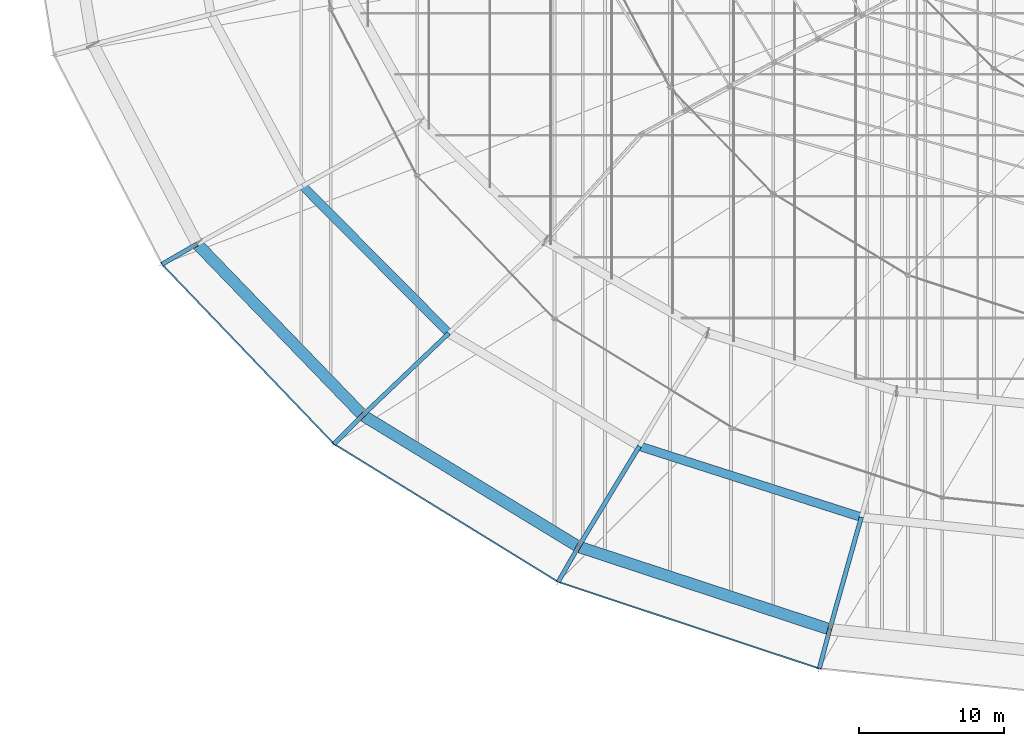
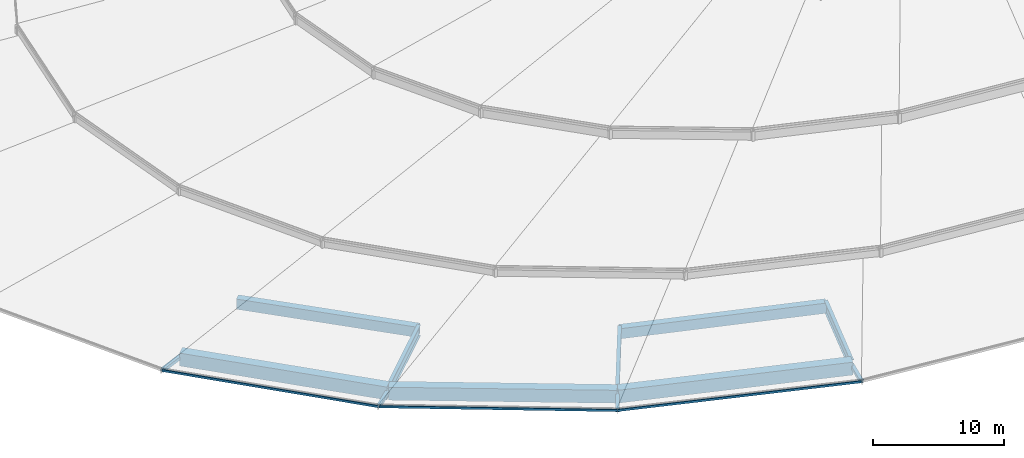
# One storey, part 1 of 184: 8 beams, 7 members.
"""IFC4 building model written with IfcOpenShell, lengths in metres."""

from ifc_helpers import new_model, si_unit, direction, frame, origin, origin_2d, place, context, subcontext, project, spatial, hollow_rectangle, i_section, extrude, material, material_profile, profile_set, type_object, element, save


model = new_model("IFC4")

# Units and contexts
model_context = context("Model", 3, precision=1e-05, world=origin(), true_north=direction((0.0, 1.0)))
body_context = subcontext(model_context, "Body", "Model", "MODEL_VIEW")
ifc_project = project(units=[si_unit("LENGTHUNIT", "METRE"), si_unit("AREAUNIT", "SQUARE_METRE"), si_unit("VOLUMEUNIT", "CUBIC_METRE"), si_unit("PLANEANGLEUNIT", "RADIAN"), si_unit("MASSUNIT", "GRAM", prefix="KILO")], contexts=[model_context])

# Site, building, storey
site_placement = place(None, origin())
site = spatial("IfcSite", under=ifc_project, at=site_placement, CompositionType="ELEMENT")
building_placement = place(site_placement, origin())
building = spatial("IfcBuilding", under=site, at=building_placement, Name="Kalgoora Escarpment Arena", CompositionType="ELEMENT")
storey_placement = place(building_placement, frame((0.0, 0.0, 27.60009765625)))
storey = spatial("IfcBuildingStorey", under=building, at=storey_placement, Name="Roof Level", CompositionType="ELEMENT", Elevation=27.60009765625)

# Beams
ifc_material_1 = material(Name="Structural steel Grade 350 (350 MPa)", Category="steel")
ifc_material_profile_1 = material_profile(ifc_material_1, hollow_rectangle(XDim=0.800048828125, YDim=1.199951171875, WallThickness=0.031982421875, at=origin_2d()))
ifc_profile_set_1 = profile_set([ifc_material_profile_1], Name="Structural steel Grade 350 (350 MPa)")
beam_type_1 = type_object("IfcBeamType", Name="BM-RING-BOX1200", PredefinedType="USERDEFINED", material=ifc_profile_set_1)
beam_1_placement = place(storey_placement, frame((30.219482421875, 35.5, -1.4501953125), z_axis=(0.694974435465, -0.719034445663, 0.0), x_axis=(0.719034445663, 0.694974435465, 0.0)))
element("IfcBeam", 1, at=beam_1_placement, inside=storey, type_object=beam_type_1, Name="Outer perimeter compression RING BEAM chord 15", ObjectType="GIRDER", PredefinedType="USERDEFINED", context=body_context, shape_type="SweptSolid", body=[
    extrude(hollow_rectangle(XDim=0.800048828125, YDim=1.199951171875, WallThickness=0.031982421875, at=origin_2d()), origin(), (0.0, 0.0, 1.0), 16.418212890625),
])
beam_2_placement = place(storey_placement, frame((41.629638671875, 23.69482421875, -1.4501953125), z_axis=(0.854030640858, -0.520222706613, 0.0), x_axis=(0.520222706613, 0.854030640858, 0.0)))
element("IfcBeam", 2, at=beam_2_placement, inside=storey, type_object=beam_type_1, Name="Outer perimeter compression RING BEAM chord 16", ObjectType="GIRDER", PredefinedType="USERDEFINED", context=body_context, shape_type="SweptSolid", body=[
    extrude(hollow_rectangle(XDim=0.800048828125, YDim=1.199951171875, WallThickness=0.031982421875, at=origin_2d()), origin(), (0.0, 0.0, 1.0), 17.411865234375),
])
beam_3_placement = place(storey_placement, frame((56.5, 14.63671875, -1.4501953125), z_axis=(0.949954555117, -0.312388129115, 0.0), x_axis=(0.312388129115, 0.949954555117, 0.0)))
element("IfcBeam", 3, at=beam_3_placement, inside=storey, type_object=beam_type_1, Name="Outer perimeter compression RING BEAM chord 17", ObjectType="GIRDER", PredefinedType="USERDEFINED", context=body_context, shape_type="SweptSolid", body=[
    extrude(hollow_rectangle(XDim=0.800048828125, YDim=1.199951171875, WallThickness=0.031982421875, at=origin_2d()), origin(), (0.0, 0.0, 1.0), 18.229248046875),
])
ifc_material_2 = material(Name="Structural steel Grade 350 (350 MPa)", Category="steel")
ifc_material_profile_2 = material_profile(ifc_material_2, hollow_rectangle(XDim=0.60009765625, YDim=0.949951171875, WallThickness=0.02490234375, at=origin_2d()))
ifc_profile_set_2 = profile_set([ifc_material_profile_2], Name="Structural steel Grade 350 (350 MPa)")
beam_type_2 = type_object("IfcBeamType", Name="BM-RING-BOX950", PredefinedType="USERDEFINED", material=ifc_profile_set_2)
beam_4_placement = place(storey_placement, frame((37.493896484375, 39.5, -1.35009765625), z_axis=(0.704558426859, -0.709645984377, 0.0), x_axis=(0.709645984377, 0.704558426859, 0.0)))
element("IfcBeam", 4, at=beam_4_placement, inside=storey, type_object=beam_type_2, Name="Concourse roof RING BEAM chord 15", ObjectType="GIRDER", PredefinedType="USERDEFINED", context=body_context, shape_type="SweptSolid", body=[
    extrude(hollow_rectangle(XDim=0.60009765625, YDim=0.949951171875, WallThickness=0.02490234375, at=origin_2d()), origin(), (0.0, 0.0, 1.0), 14.30029296875),
])
beam_5_placement = place(storey_placement, frame((60.699951171875, 21.564697265625, -1.35009765625), z_axis=(0.952389888786, -0.304882763925, 0.0), x_axis=(0.304882763925, 0.952389888786, 0.0)))
element("IfcBeam", 5, at=beam_5_placement, inside=storey, type_object=beam_type_2, Name="Concourse roof RING BEAM chord 17", ObjectType="GIRDER", PredefinedType="USERDEFINED", context=body_context, shape_type="SweptSolid", body=[
    extrude(hollow_rectangle(XDim=0.60009765625, YDim=0.949951171875, WallThickness=0.02490234375, at=origin_2d()), origin(), (0.0, 0.0, 1.0), 16.055419921875),
])
ifc_material_3 = material(Name="Structural steel Grade 350 (350 MPa)", Category="steel")
ifc_material_profile_3 = material_profile(ifc_material_3, i_section(OverallWidth=0.300048828125, OverallDepth=1.010009765625, WebThickness=0.01611328125, FlangeThickness=0.030029296875, at=origin_2d()))
ifc_profile_set_3 = profile_set([ifc_material_profile_3], Name="Structural steel Grade 350 (350 MPa)")
beam_type_3 = type_object("IfcBeamType", Name="BM-TRUSS-CHORD", PredefinedType="USERDEFINED", material=ifc_profile_set_3)
beam_6_placement = place(storey_placement, frame((41.629638671875, 23.69482421875, -1.400146484375), z_axis=(0.724076232267, 0.689612001228, 0.012202361594), x_axis=(-0.689663347757, 0.724130144905, 0.0)))
element("IfcBeam", 6, at=beam_6_placement, inside=storey, type_object=beam_type_3, Name="Outer radial petal support girder R16", ObjectType="GIRDER", PredefinedType="USERDEFINED", context=body_context, shape_type="SweptSolid", body=[
    extrude(i_section(OverallWidth=0.300048828125, OverallDepth=1.010009765625, WebThickness=0.01611328125, FlangeThickness=0.030029296875, at=origin_2d()), origin(), (0.0, 0.0, 1.0), 8.203125),
])
beam_7_placement = place(storey_placement, frame((56.5, 14.63671875, -1.400146484375), z_axis=(0.518368338661, 0.855068205906, 0.012354299765), x_axis=(-0.85513346736, 0.518407902139, 0.0)))
element("IfcBeam", 7, at=beam_7_placement, inside=storey, type_object=beam_type_3, Name="Outer radial petal support girder R17", ObjectType="GIRDER", PredefinedType="USERDEFINED", context=body_context, shape_type="SweptSolid", body=[
    extrude(i_section(OverallWidth=0.300048828125, OverallDepth=1.010009765625, WebThickness=0.01611328125, FlangeThickness=0.030029296875, at=origin_2d()), origin(), (0.0, 0.0, 1.0), 8.102294921875),
])
beam_8_placement = place(storey_placement, frame((73.81689453125, 8.942138671875, -1.400146484375), z_axis=(0.270805551558, 0.962553320372, 0.012468307259), x_axis=(-0.962628147734, 0.27082660355, 0.0)))
element("IfcBeam", 8, at=beam_8_placement, inside=storey, type_object=beam_type_3, Name="Outer radial petal support girder R18", ObjectType="GIRDER", PredefinedType="USERDEFINED", context=body_context, shape_type="SweptSolid", body=[
    extrude(i_section(OverallWidth=0.300048828125, OverallDepth=1.010009765625, WebThickness=0.01611328125, FlangeThickness=0.030029296875, at=origin_2d()), origin(), (0.0, 0.0, 1.0), 8.028076171875),
])

# Members
ifc_material_4 = material(Name="Structural steel C350 (350 MPa)", Category="steel")
ifc_material_profile_4 = material_profile(ifc_material_4, hollow_rectangle(XDim=0.10009765625, YDim=0.199951171875, WallThickness=0.009033203125, at=origin_2d()))
ifc_profile_set_4 = profile_set([ifc_material_profile_4], Name="Structural steel C350 (350 MPa)")
member_type_1 = type_object("IfcMemberType", Name="MEM-PURLIN-RHS", PredefinedType="PURLIN", material=ifc_profile_set_4)
member_1_placement = place(storey_placement, frame((27.79443359375, 34.10009765625, -1.02001953125), z_axis=(0.691494829902, -0.722381409104, 0.0), x_axis=(0.722381409104, 0.691494829902, 0.0)))
element("IfcMember", 9, at=member_1_placement, inside=storey, type_object=member_type_1, Name="Petal RP1 eave support ring purlin S15", PredefinedType="PURLIN", context=body_context, shape_type="SweptSolid", body=[
    extrude(hollow_rectangle(XDim=0.10009765625, YDim=0.199951171875, WallThickness=0.009033203125, at=origin_2d()), origin(), (0.0, 0.0, 1.0), 17.144775390625),
])
member_2_placement = place(storey_placement, frame((39.64990234375, 21.715087890625, -1.02001953125), z_axis=(0.851766436126, -0.52392169099, 0.0), x_axis=(0.52392169099, 0.851766436126, 0.0)))
element("IfcMember", 10, at=member_2_placement, inside=storey, type_object=member_type_1, Name="Petal RP1 eave support ring purlin S16", PredefinedType="PURLIN", context=body_context, shape_type="SweptSolid", body=[
    extrude(hollow_rectangle(XDim=0.10009765625, YDim=0.199951171875, WallThickness=0.009033203125, at=origin_2d()), origin(), (0.0, 0.0, 1.0), 18.138916015625),
])
member_3_placement = place(storey_placement, frame((55.10009765625, 12.211669921875, -1.02001953125), z_axis=(0.949049684194, -0.315126477675, 0.0), x_axis=(0.315126477675, 0.949049684194, 0.0)))
element("IfcMember", 11, at=member_3_placement, inside=storey, type_object=member_type_1, Name="Petal RP1 eave support ring purlin S17", PredefinedType="PURLIN", context=body_context, shape_type="SweptSolid", body=[
    extrude(hollow_rectangle(XDim=0.10009765625, YDim=0.199951171875, WallThickness=0.009033203125, at=origin_2d()), origin(), (0.0, 0.0, 1.0), 18.957763671875),
])
ifc_material_5 = material(Name="Structural steel C450 (450 MPa)", Category="steel")
ifc_material_profile_5 = material_profile(ifc_material_5, hollow_rectangle(XDim=0.300048828125, YDim=0.300048828125, WallThickness=0.012451171875, at=origin_2d()))
ifc_profile_set_5 = profile_set([ifc_material_profile_5], Name="Structural steel C450 (450 MPa)")
member_type_2 = type_object("IfcMemberType", Name="MEM-TRUSS-POST", PredefinedType="POST", material=ifc_profile_set_5)
member_4_placement = place(storey_placement, frame((30.219482421875, 35.5, -1.400146484375), z_axis=(-0.857346427406, -0.494918394719, 0.141466907734), x_axis=(0.49994636267, -0.866056369097, 0.0)))
element("IfcMember", 12, at=member_4_placement, inside=storey, type_object=member_type_2, Name="Petal RP1 eave strut S15", PredefinedType="POST", context=body_context, shape_type="SweptSolid", body=[
    extrude(hollow_rectangle(XDim=0.300048828125, YDim=0.300048828125, WallThickness=0.012451171875, at=origin_2d()), origin(), (0.0, 0.0, 1.0), 2.82861328125),
])
member_5_placement = place(storey_placement, frame((41.629638671875, 23.69482421875, -1.400146484375), z_axis=(-0.699993721034, -0.699993721034, 0.141483500897), x_axis=(0.707106781187, -0.707106781187, 0.0)))
element("IfcMember", 13, at=member_5_placement, inside=storey, type_object=member_type_2, Name="Petal RP1 eave strut S16", PredefinedType="POST", context=body_context, shape_type="SweptSolid", body=[
    extrude(hollow_rectangle(XDim=0.300048828125, YDim=0.300048828125, WallThickness=0.012451171875, at=origin_2d()), origin(), (0.0, 0.0, 1.0), 2.828125),
])
member_6_placement = place(storey_placement, frame((56.5, 14.63671875, -1.400146484375), z_axis=(-0.494918394719, -0.857346427406, 0.141466907734), x_axis=(0.866056369097, -0.49994636267, 0.0)))
element("IfcMember", 14, at=member_6_placement, inside=storey, type_object=member_type_2, Name="Petal RP1 eave strut S17", PredefinedType="POST", context=body_context, shape_type="SweptSolid", body=[
    extrude(hollow_rectangle(XDim=0.300048828125, YDim=0.300048828125, WallThickness=0.012451171875, at=origin_2d()), origin(), (0.0, 0.0, 1.0), 2.82861328125),
])
member_7_placement = place(storey_placement, frame((73.81689453125, 8.942138671875, -1.400146484375), z_axis=(-0.256269035723, -0.956196826452, 0.141470174991), x_axis=(0.965911463294, -0.258872642582, 0.0)))
element("IfcMember", 15, at=member_7_placement, inside=storey, type_object=member_type_2, Name="Petal RP1 eave strut S18", PredefinedType="POST", context=body_context, shape_type="SweptSolid", body=[
    extrude(hollow_rectangle(XDim=0.300048828125, YDim=0.300048828125, WallThickness=0.012451171875, at=origin_2d()), origin(), (0.0, 0.0, 1.0), 2.828369140625),
])

save(model, "model.ifc")
